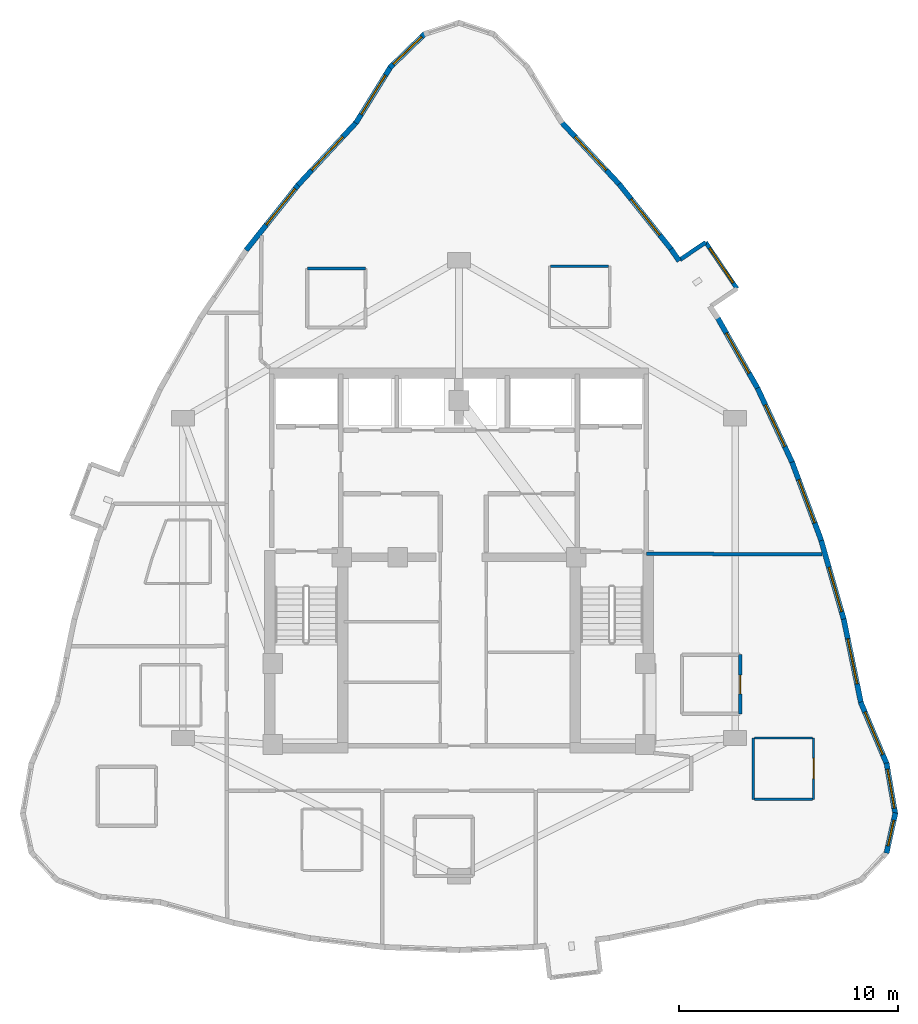
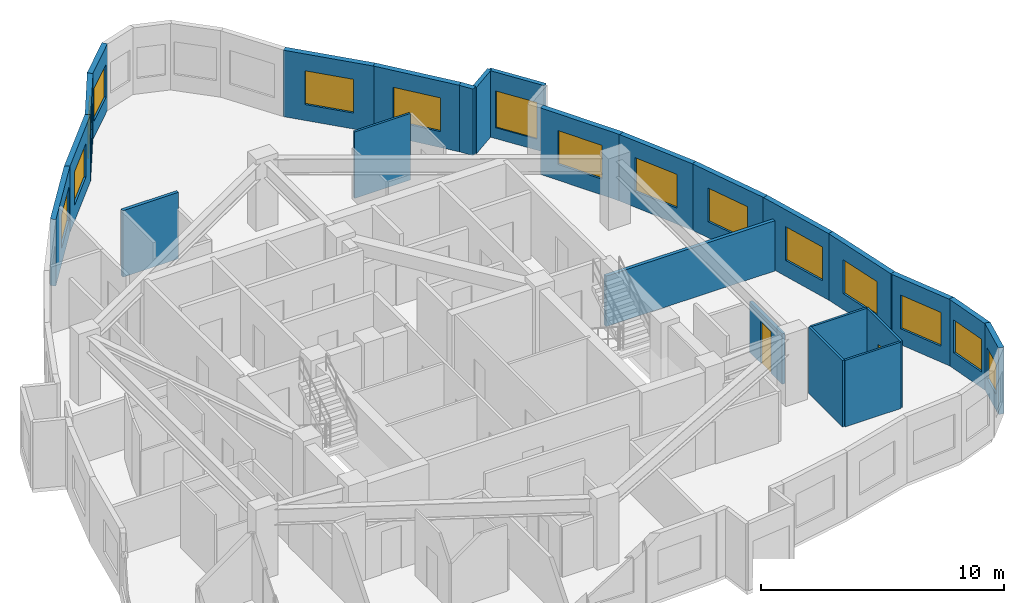
# One storey, part 7 of 9: 25 walls, 15 windows, 2 doors, 17 openings.
"""IFC4 building model written with IfcOpenShell, lengths in metres."""

from ifc_helpers import new_model, si_unit, direction, frame, frame_2d, origin, place, context, subcontext, project, spatial, rectangle, extrude, material, layer, layer_set, type_object, element, fill, save


model = new_model("IFC4")

# Units and contexts
model_context = context("Model", 3, precision=1e-05, world=origin(), true_north=direction((0.0, 1.0)))
body_context = subcontext(model_context, "Body", "Model", "MODEL_VIEW")
ifc_project = project(units=[si_unit("LENGTHUNIT", "METRE"), si_unit("AREAUNIT", "SQUARE_METRE"), si_unit("VOLUMEUNIT", "CUBIC_METRE"), si_unit("PLANEANGLEUNIT", "RADIAN"), si_unit("MASSUNIT", "GRAM", prefix="KILO")], contexts=[model_context])

# Site, building, storey
site_placement = place(None, origin())
site = spatial("IfcSite", under=ifc_project, at=site_placement, CompositionType="ELEMENT")
building_placement = place(site_placement, origin())
building = spatial("IfcBuilding", under=site, at=building_placement, Name="Miruveldt Soraemaru", CompositionType="ELEMENT")
storey_placement = place(building_placement, frame((0.0, 0.0, 241.199951171875)))
storey = spatial("IfcBuildingStorey", under=building, at=storey_placement, Name="L66", CompositionType="ELEMENT", Elevation=241.199951171875)

# Wall
ifc_material_1 = material(Name="White powder-coated aluminium EN AW-6060 T6", Category="aluminium")
ifc_layer_1 = layer(ifc_material_1, 0.18994140625, Name="White powder-coated aluminium EN AW-6060 T6", Category="aluminium")
ifc_layer_set_1 = layer_set([ifc_layer_1], Name="White powder-coated aluminium EN AW-6060 T6")
wall_type_1 = type_object("IfcWallType", Name="WALL-BAY-ALU190", PredefinedType="SOLIDWALL", material=ifc_layer_set_1)
wall_1_placement = place(storey_placement, frame((55.256103515625, 58.4208984375, 0.0), z_axis=(0.0, 0.0, 1.0), x_axis=(-0.827916124573, -0.56085193293, 0.0)))
element("IfcWall", 1, at=wall_1_placement, inside=storey, type_object=wall_type_1, Name="L66 Bay Window Side Cheek 3R", PredefinedType="SOLIDWALL", context=body_context, shape_type="SweptSolid", body=[
    extrude(rectangle(XDim=1.42529296875, YDim=0.18994140625, at=frame_2d((0.712646484375, 0.0))), origin(), (0.0, 0.0, 1.0), 3.344970703125),
])

# Wall, opening, window
wall_2_placement = place(storey_placement, frame((56.686767578125, 56.308837890625, 0.0), z_axis=(0.0, 0.0, 1.0), x_axis=(-0.560824867465, 0.827934458778, 0.0)))
wall_2 = element("IfcWall", 2, at=wall_2_placement, inside=storey, type_object=wall_type_1, Name="L66 Bay Window Front Frame 3", PredefinedType="SOLIDWALL", context=body_context, shape_type="SweptSolid", body=[
    extrude(rectangle(XDim=2.551025390625, YDim=0.18994140625, at=frame_2d((1.275390625, 0.0))), origin(), (0.0, 0.0, 1.0), 3.344970703125),
])
opening_1_placement = place(wall_2_placement, frame((0.325927734375, 0.0, 0.550048828125)))
opening_1 = element("IfcOpeningElement", 3, at=opening_1_placement, cuts=wall_2, Name="Opening WN-6", PredefinedType="OPENING", context=body_context, shape_type="SweptSolid", body=[
    extrude(rectangle(XDim=1.89990234375, YDim=1.85009765625, at=frame_2d((0.949951171875, 0.925048828125))), frame((0.0, 0.10498046875, 0.0), z_axis=(0.0, -1.0, 0.0), x_axis=(1.0, 0.0, 0.0)), (0.0, 0.0, 1.0), 0.2099609375),
])
ifc_material_2 = material(Name="Triple low-e insulated glazing", Category="glass")
window_type_1 = type_object("IfcWindowType", Name="WIN-BAYW-1900x1850", PartitioningType="SINGLE_PANEL", PredefinedType="WINDOW", material=ifc_material_2)
window_1_placement = place(opening_1_placement, origin())
window_1 = element("IfcWindow", 4, at=window_1_placement, inside=storey, type_object=window_type_1, Name="L66 Projecting Bay Window 3", OverallHeight=1.85009765625, OverallWidth=1.89990234375, PartitioningType="SINGLE_PANEL", PredefinedType="WINDOW", context=body_context, shape_type="SweptSolid", body=[
    extrude(rectangle(XDim=1.89990234375, YDim=1.85009765625, at=frame_2d((0.949951171875, 0.925048828125))), frame((0.0, 0.030029296875, 0.0), z_axis=(0.0, -1.0, 0.0), x_axis=(1.0, 0.0, 0.0)), (0.0, 0.0, 1.0), 0.06005859375),
])
fill(opening_1, window_1)

ifc_material_3 = material(Name="Precast concrete C45/55 (45 MPa)", Category="concrete")
ifc_layer_2 = layer(ifc_material_3, 0.239990234375, Name="Precast concrete C45/55 (45 MPa)", Category="concrete")
ifc_layer_set_2 = layer_set([ifc_layer_2], Name="Precast concrete C45/55 (45 MPa)")
wall_type_2 = type_object("IfcWallType", Name="WALL-EXT-PC240", PredefinedType="SOLIDWALL", material=ifc_layer_set_2)
wall_3_placement = place(storey_placement, frame((42.4609375, 67.959228515625, 0.0), z_axis=(0.0, 0.0, 1.0), x_axis=(-0.717772148555, -0.696278064252, 0.0)))
wall_3 = element("IfcWall", 5, at=wall_3_placement, inside=storey, type_object=wall_type_2, Name="L66 Precast Concrete Facade Wall 5", PredefinedType="SOLIDWALL", context=body_context, shape_type="SweptSolid", body=[
    extrude(rectangle(XDim=2.2490234375, YDim=0.239990234375, at=frame_2d((1.12451171875, 0.0))), origin(), (0.0, 0.0, 1.0), 3.344970703125),
])
opening_2_placement = place(wall_3_placement, frame((0.22509765625, 0.0, 0.800048828125)))
opening_2 = element("IfcOpeningElement", 6, at=opening_2_placement, cuts=wall_3, Name="Opening WN-2", PredefinedType="OPENING", context=body_context, shape_type="SweptSolid", body=[
    extrude(rectangle(XDim=1.800048828125, YDim=1.64990234375, at=frame_2d((0.89990234375, 0.824951171875))), frame((0.0, 0.1298828125, 0.0), z_axis=(0.0, -1.0, 0.0), x_axis=(1.0, 0.0, 0.0)), (0.0, 0.0, 1.0), 0.260009765625),
])
window_type_2 = type_object("IfcWindowType", Name="WIN-PUNCH-1800x1650", PartitioningType="SINGLE_PANEL", PredefinedType="WINDOW", material=ifc_material_2)
window_2_placement = place(opening_2_placement, origin())
window_2 = element("IfcWindow", 7, at=window_2_placement, inside=storey, type_object=window_type_2, Name="L66 Punched Triple-Glazed Window 05.1", OverallHeight=1.64990234375, OverallWidth=1.800048828125, PartitioningType="SINGLE_PANEL", PredefinedType="WINDOW", context=body_context, shape_type="SweptSolid", body=[
    extrude(rectangle(XDim=1.800048828125, YDim=1.64990234375, at=frame_2d((0.89990234375, 0.824951171875))), frame((0.0, 0.030029296875, 0.0), z_axis=(0.0, -1.0, 0.0), x_axis=(1.0, 0.0, 0.0)), (0.0, 0.0, 1.0), 0.06005859375),
])
fill(opening_2, window_2)

wall_4_placement = place(storey_placement, frame((40.89013671875, 66.447509765625, 0.0), z_axis=(0.0, 0.0, 1.0), x_axis=(-0.526092225985, -0.850427521755, 0.0)))
wall_4 = element("IfcWall", 8, at=wall_4_placement, inside=storey, type_object=wall_type_2, Name="L66 Precast Concrete Facade Wall 6", PredefinedType="SOLIDWALL", context=body_context, shape_type="SweptSolid", body=[
    extrude(rectangle(XDim=3.043212890625, YDim=0.239990234375, at=frame_2d((1.521484375, 0.0))), origin(), (0.0, 0.0, 1.0), 3.344970703125),
])
opening_3_placement = place(wall_4_placement, frame((0.471923828125, 0.0, 0.800048828125)))
opening_3 = element("IfcOpeningElement", 9, at=opening_3_placement, cuts=wall_4, Name="Opening WN-1", PredefinedType="OPENING", context=body_context, shape_type="SweptSolid", body=[
    extrude(rectangle(XDim=2.10009765625, YDim=1.699951171875, at=frame_2d((1.050048828125, 0.85009765625))), frame((0.0, 0.1298828125, 0.0), z_axis=(0.0, -1.0, 0.0), x_axis=(1.0, 0.0, 0.0)), (0.0, 0.0, 1.0), 0.260009765625),
])
window_type_3 = type_object("IfcWindowType", Name="WIN-PUNCH-2100x1700", PartitioningType="SINGLE_PANEL", PredefinedType="WINDOW", material=ifc_material_2)
window_3_placement = place(opening_3_placement, origin())
window_3 = element("IfcWindow", 10, at=window_3_placement, inside=storey, type_object=window_type_3, Name="L66 Punched Triple-Glazed Window 06.1", OverallHeight=1.699951171875, OverallWidth=2.10009765625, PartitioningType="SINGLE_PANEL", PredefinedType="WINDOW", context=body_context, shape_type="SweptSolid", body=[
    extrude(rectangle(XDim=2.10009765625, YDim=1.699951171875, at=frame_2d((1.050048828125, 0.85009765625))), frame((0.0, 0.030029296875, 0.0), z_axis=(0.0, -1.0, 0.0), x_axis=(1.0, 0.0, 0.0)), (0.0, 0.0, 1.0), 0.06005859375),
])
fill(opening_3, window_3)

wall_5_placement = place(storey_placement, frame((39.331298828125, 63.914794921875, 0.0), z_axis=(0.0, 0.0, 1.0), x_axis=(-0.680874316981, -0.73240027613, 0.0)))
wall_5 = element("IfcWall", 11, at=wall_5_placement, inside=storey, type_object=wall_type_2, Name="L66 Precast Concrete Facade Wall 7", PredefinedType="SOLIDWALL", context=body_context, shape_type="SweptSolid", body=[
    extrude(rectangle(XDim=3.9375, YDim=0.239990234375, at=frame_2d((1.96875, 0.0))), origin(), (0.0, 0.0, 1.0), 3.344970703125),
])
opening_4_placement = place(wall_5_placement, frame((0.9189453125, 0.0, 0.800048828125)))
opening_4 = element("IfcOpeningElement", 12, at=opening_4_placement, cuts=wall_5, Name="Opening WN-1", PredefinedType="OPENING", context=body_context, shape_type="SweptSolid", body=[
    extrude(rectangle(XDim=2.10009765625, YDim=1.699951171875, at=frame_2d((1.050048828125, 0.85009765625))), frame((0.0, 0.1298828125, 0.0), z_axis=(0.0, -1.0, 0.0), x_axis=(1.0, 0.0, 0.0)), (0.0, 0.0, 1.0), 0.260009765625),
])
window_4_placement = place(opening_4_placement, origin())
window_4 = element("IfcWindow", 13, at=window_4_placement, inside=storey, type_object=window_type_3, Name="L66 Punched Triple-Glazed Window 07.1", OverallHeight=1.699951171875, OverallWidth=2.10009765625, PartitioningType="SINGLE_PANEL", PredefinedType="WINDOW", context=body_context, shape_type="SweptSolid", body=[
    extrude(rectangle(XDim=2.10009765625, YDim=1.699951171875, at=frame_2d((1.050048828125, 0.85009765625))), frame((0.0, 0.030029296875, 0.0), z_axis=(0.0, -1.0, 0.0), x_axis=(1.0, 0.0, 0.0)), (0.0, 0.0, 1.0), 0.06005859375),
])
fill(opening_4, window_4)

wall_6_placement = place(storey_placement, frame((36.696044921875, 61.083984375, 0.0), z_axis=(0.0, 0.0, 1.0), x_axis=(-0.623616809325, -0.781730180515, 0.0)))
wall_6 = element("IfcWall", 14, at=wall_6_placement, inside=storey, type_object=wall_type_2, Name="L66 Precast Concrete Facade Wall 8", PredefinedType="SOLIDWALL", context=body_context, shape_type="SweptSolid", body=[
    extrude(rectangle(XDim=3.867919921875, YDim=0.239990234375, at=frame_2d((1.93408203125, 0.0))), origin(), (0.0, 0.0, 1.0), 3.344970703125),
])
opening_5_placement = place(wall_6_placement, frame((0.281982421875, 0.0, 0.800048828125)))
opening_5 = element("IfcOpeningElement", 15, at=opening_5_placement, cuts=wall_6, Name="Opening WN-1", PredefinedType="OPENING", context=body_context, shape_type="SweptSolid", body=[
    extrude(rectangle(XDim=2.10009765625, YDim=1.699951171875, at=frame_2d((1.050048828125, 0.85009765625))), frame((0.0, 0.1298828125, 0.0), z_axis=(0.0, -1.0, 0.0), x_axis=(1.0, 0.0, 0.0)), (0.0, 0.0, 1.0), 0.260009765625),
])
window_5_placement = place(opening_5_placement, origin())
window_5 = element("IfcWindow", 16, at=window_5_placement, inside=storey, type_object=window_type_3, Name="L66 Punched Triple-Glazed Window 08.1", OverallHeight=1.699951171875, OverallWidth=2.10009765625, PartitioningType="SINGLE_PANEL", PredefinedType="WINDOW", context=body_context, shape_type="SweptSolid", body=[
    extrude(rectangle(XDim=2.10009765625, YDim=1.699951171875, at=frame_2d((1.050048828125, 0.85009765625))), frame((0.0, 0.030029296875, 0.0), z_axis=(0.0, -1.0, 0.0), x_axis=(1.0, 0.0, 0.0)), (0.0, 0.0, 1.0), 0.06005859375),
])
fill(opening_5, window_5)

wall_7_placement = place(storey_placement, frame((63.509521484375, 30.54541015625, 0.0), z_axis=(0.0, 0.0, 1.0), x_axis=(0.215502390858, 0.976503312608, 0.0)))
wall_7 = element("IfcWall", 17, at=wall_7_placement, inside=storey, type_object=wall_type_2, Name="L66 Precast Concrete Facade Wall 32", PredefinedType="SOLIDWALL", context=body_context, shape_type="SweptSolid", body=[
    extrude(rectangle(XDim=1.8828125, YDim=0.239990234375, at=frame_2d((0.94140625, 0.0))), origin(), (0.0, 0.0, 1.0), 3.344970703125),
])
opening_6_placement = place(wall_7_placement, frame((0.342041015625, 0.0, 0.780029296875)))
opening_6 = element("IfcOpeningElement", 18, at=opening_6_placement, cuts=wall_7, Name="Opening WN-4", PredefinedType="OPENING", context=body_context, shape_type="SweptSolid", body=[
    extrude(rectangle(XDim=1.199951171875, YDim=1.550048828125, at=frame_2d((0.60009765625, 0.77490234375))), frame((0.0, 0.1298828125, 0.0), z_axis=(0.0, -1.0, 0.0), x_axis=(1.0, 0.0, 0.0)), (0.0, 0.0, 1.0), 0.260009765625),
])
window_type_4 = type_object("IfcWindowType", Name="WIN-PUNCH-1200x1550", PartitioningType="SINGLE_PANEL", PredefinedType="WINDOW", material=ifc_material_2)
window_6_placement = place(opening_6_placement, origin())
window_6 = element("IfcWindow", 19, at=window_6_placement, inside=storey, type_object=window_type_4, Name="L66 Punched Triple-Glazed Window 32.1", OverallHeight=1.550048828125, OverallWidth=1.199951171875, PartitioningType="SINGLE_PANEL", PredefinedType="WINDOW", context=body_context, shape_type="SweptSolid", body=[
    extrude(rectangle(XDim=1.199951171875, YDim=1.550048828125, at=frame_2d((0.60009765625, 0.77490234375))), frame((0.0, 0.030029296875, 0.0), z_axis=(0.0, -1.0, 0.0), x_axis=(1.0, 0.0, 0.0)), (0.0, 0.0, 1.0), 0.06005859375),
])
fill(opening_6, window_6)

wall_8_placement = place(storey_placement, frame((63.913818359375, 32.315185546875, 0.0), z_axis=(0.0, 0.0, 1.0), x_axis=(-0.16932268842, 0.985560666416, 0.0)))
wall_8 = element("IfcWall", 20, at=wall_8_placement, inside=storey, type_object=wall_type_2, Name="L66 Precast Concrete Facade Wall 33", PredefinedType="SOLIDWALL", context=body_context, shape_type="SweptSolid", body=[
    extrude(rectangle(XDim=2.379150390625, YDim=0.239990234375, at=frame_2d((1.189453125, 0.0))), origin(), (0.0, 0.0, 1.0), 3.344970703125),
])
opening_7_placement = place(wall_8_placement, frame((0.2890625, 0.0, 0.800048828125)))
opening_7 = element("IfcOpeningElement", 21, at=opening_7_placement, cuts=wall_8, Name="Opening WN-2", PredefinedType="OPENING", context=body_context, shape_type="SweptSolid", body=[
    extrude(rectangle(XDim=1.800048828125, YDim=1.64990234375, at=frame_2d((0.89990234375, 0.824951171875))), frame((0.0, 0.1298828125, 0.0), z_axis=(0.0, -1.0, 0.0), x_axis=(1.0, 0.0, 0.0)), (0.0, 0.0, 1.0), 0.260009765625),
])
window_7_placement = place(opening_7_placement, origin())
window_7 = element("IfcWindow", 22, at=window_7_placement, inside=storey, type_object=window_type_2, Name="L66 Punched Triple-Glazed Window 33.1", OverallHeight=1.64990234375, OverallWidth=1.800048828125, PartitioningType="SINGLE_PANEL", PredefinedType="WINDOW", context=body_context, shape_type="SweptSolid", body=[
    extrude(rectangle(XDim=1.800048828125, YDim=1.64990234375, at=frame_2d((0.89990234375, 0.824951171875))), frame((0.0, 0.030029296875, 0.0), z_axis=(0.0, -1.0, 0.0), x_axis=(1.0, 0.0, 0.0)), (0.0, 0.0, 1.0), 0.06005859375),
])
fill(opening_7, window_7)

wall_9_placement = place(storey_placement, frame((63.530517578125, 34.59326171875, 0.0), z_axis=(0.0, 0.0, 1.0), x_axis=(-0.388647035021, 0.921386716949, 0.0)))
wall_9 = element("IfcWall", 23, at=wall_9_placement, inside=storey, type_object=wall_type_2, Name="L66 Precast Concrete Facade Wall 34", PredefinedType="SOLIDWALL", context=body_context, shape_type="SweptSolid", body=[
    extrude(rectangle(XDim=3.0888671875, YDim=0.239990234375, at=frame_2d((1.54443359375, 0.0))), origin(), (0.0, 0.0, 1.0), 3.344970703125),
])
opening_8_placement = place(wall_9_placement, frame((0.493896484375, 0.0, 0.800048828125)))
opening_8 = element("IfcOpeningElement", 24, at=opening_8_placement, cuts=wall_9, Name="Opening WN-1", PredefinedType="OPENING", context=body_context, shape_type="SweptSolid", body=[
    extrude(rectangle(XDim=2.10009765625, YDim=1.699951171875, at=frame_2d((1.050048828125, 0.85009765625))), frame((0.0, 0.1298828125, 0.0), z_axis=(0.0, -1.0, 0.0), x_axis=(1.0, 0.0, 0.0)), (0.0, 0.0, 1.0), 0.260009765625),
])
window_8_placement = place(opening_8_placement, origin())
window_8 = element("IfcWindow", 25, at=window_8_placement, inside=storey, type_object=window_type_3, Name="L66 Punched Triple-Glazed Window 34.1", OverallHeight=1.699951171875, OverallWidth=2.10009765625, PartitioningType="SINGLE_PANEL", PredefinedType="WINDOW", context=body_context, shape_type="SweptSolid", body=[
    extrude(rectangle(XDim=2.10009765625, YDim=1.699951171875, at=frame_2d((1.050048828125, 0.85009765625))), frame((0.0, 0.030029296875, 0.0), z_axis=(0.0, -1.0, 0.0), x_axis=(1.0, 0.0, 0.0)), (0.0, 0.0, 1.0), 0.06005859375),
])
fill(opening_8, window_8)

wall_10_placement = place(storey_placement, frame((62.350830078125, 37.37255859375, 0.0), z_axis=(0.0, 0.0, 1.0), x_axis=(-0.201574193265, 0.979473248542, 0.0)))
wall_10 = element("IfcWall", 26, at=wall_10_placement, inside=storey, type_object=wall_type_2, Name="L66 Precast Concrete Facade Wall 35", PredefinedType="SOLIDWALL", context=body_context, shape_type="SweptSolid", body=[
    extrude(rectangle(XDim=3.9375, YDim=0.239990234375, at=frame_2d((1.96875, 0.0))), origin(), (0.0, 0.0, 1.0), 3.344970703125),
])
opening_9_placement = place(wall_10_placement, frame((0.9189453125, 0.0, 0.800048828125)))
opening_9 = element("IfcOpeningElement", 27, at=opening_9_placement, cuts=wall_10, Name="Opening WN-1", PredefinedType="OPENING", context=body_context, shape_type="SweptSolid", body=[
    extrude(rectangle(XDim=2.10009765625, YDim=1.699951171875, at=frame_2d((1.050048828125, 0.85009765625))), frame((0.0, 0.1298828125, 0.0), z_axis=(0.0, -1.0, 0.0), x_axis=(1.0, 0.0, 0.0)), (0.0, 0.0, 1.0), 0.260009765625),
])
window_9_placement = place(opening_9_placement, origin())
window_9 = element("IfcWindow", 28, at=window_9_placement, inside=storey, type_object=window_type_3, Name="L66 Punched Triple-Glazed Window 35.1", OverallHeight=1.699951171875, OverallWidth=2.10009765625, PartitioningType="SINGLE_PANEL", PredefinedType="WINDOW", context=body_context, shape_type="SweptSolid", body=[
    extrude(rectangle(XDim=2.10009765625, YDim=1.699951171875, at=frame_2d((1.050048828125, 0.85009765625))), frame((0.0, 0.030029296875, 0.0), z_axis=(0.0, -1.0, 0.0), x_axis=(1.0, 0.0, 0.0)), (0.0, 0.0, 1.0), 0.06005859375),
])
fill(opening_9, window_9)

wall_11_placement = place(storey_placement, frame((61.57373046875, 41.161376953125, 0.0), z_axis=(0.0, 0.0, 1.0), x_axis=(-0.27493786248, 0.961461997052, 0.0)))
wall_11 = element("IfcWall", 29, at=wall_11_placement, inside=storey, type_object=wall_type_2, Name="L66 Precast Concrete Facade Wall 36", PredefinedType="SOLIDWALL", context=body_context, shape_type="SweptSolid", body=[
    extrude(rectangle(XDim=3.8681640625, YDim=0.239990234375, at=frame_2d((1.93408203125, 0.0))), origin(), (0.0, 0.0, 1.0), 3.344970703125),
])
opening_10_placement = place(wall_11_placement, frame((0.4208984375, 0.0, 0.800048828125)))
opening_10 = element("IfcOpeningElement", 30, at=opening_10_placement, cuts=wall_11, Name="Opening WN-1", PredefinedType="OPENING", context=body_context, shape_type="SweptSolid", body=[
    extrude(rectangle(XDim=2.10009765625, YDim=1.699951171875, at=frame_2d((1.050048828125, 0.85009765625))), frame((0.0, 0.1298828125, 0.0), z_axis=(0.0, -1.0, 0.0), x_axis=(1.0, 0.0, 0.0)), (0.0, 0.0, 1.0), 0.260009765625),
])
window_10_placement = place(opening_10_placement, origin())
window_10 = element("IfcWindow", 31, at=window_10_placement, inside=storey, type_object=window_type_3, Name="L66 Punched Triple-Glazed Window 36.1", OverallHeight=1.699951171875, OverallWidth=2.10009765625, PartitioningType="SINGLE_PANEL", PredefinedType="WINDOW", context=body_context, shape_type="SweptSolid", body=[
    extrude(rectangle(XDim=2.10009765625, YDim=1.699951171875, at=frame_2d((1.050048828125, 0.85009765625))), frame((0.0, 0.030029296875, 0.0), z_axis=(0.0, -1.0, 0.0), x_axis=(1.0, 0.0, 0.0)), (0.0, 0.0, 1.0), 0.06005859375),
])
fill(opening_10, window_10)

wall_12_placement = place(storey_placement, frame((60.531982421875, 44.813720703125, 0.0), z_axis=(0.0, 0.0, 1.0), x_axis=(-0.349007803454, 0.937119817915, 0.0)))
wall_12 = element("IfcWall", 32, at=wall_12_placement, inside=storey, type_object=wall_type_2, Name="L66 Precast Concrete Facade Wall 37", PredefinedType="SOLIDWALL", context=body_context, shape_type="SweptSolid", body=[
    extrude(rectangle(XDim=3.82080078125, YDim=0.239990234375, at=frame_2d((1.910400390625, 0.0))), origin(), (0.0, 0.0, 1.0), 3.344970703125),
])
opening_11_placement = place(wall_12_placement, frame((0.861083984375, 0.0, 0.800048828125)))
opening_11 = element("IfcOpeningElement", 33, at=opening_11_placement, cuts=wall_12, Name="Opening WN-1", PredefinedType="OPENING", context=body_context, shape_type="SweptSolid", body=[
    extrude(rectangle(XDim=2.10009765625, YDim=1.699951171875, at=frame_2d((1.050048828125, 0.85009765625))), frame((0.0, 0.1298828125, 0.0), z_axis=(0.0, -1.0, 0.0), x_axis=(1.0, 0.0, 0.0)), (0.0, 0.0, 1.0), 0.260009765625),
])
window_11_placement = place(opening_11_placement, origin())
window_11 = element("IfcWindow", 34, at=window_11_placement, inside=storey, type_object=window_type_3, Name="L66 Punched Triple-Glazed Window 37.1", OverallHeight=1.699951171875, OverallWidth=2.10009765625, PartitioningType="SINGLE_PANEL", PredefinedType="WINDOW", context=body_context, shape_type="SweptSolid", body=[
    extrude(rectangle(XDim=2.10009765625, YDim=1.699951171875, at=frame_2d((1.050048828125, 0.85009765625))), frame((0.0, 0.030029296875, 0.0), z_axis=(0.0, -1.0, 0.0), x_axis=(1.0, 0.0, 0.0)), (0.0, 0.0, 1.0), 0.06005859375),
])
fill(opening_11, window_11)

wall_13_placement = place(storey_placement, frame((59.2255859375, 48.329833984375, 0.0), z_axis=(0.0, 0.0, 1.0), x_axis=(-0.422353902845, 0.906431012682, 0.0)))
wall_13 = element("IfcWall", 35, at=wall_13_placement, inside=storey, type_object=wall_type_2, Name="L66 Precast Concrete Facade Wall 38", PredefinedType="SOLIDWALL", context=body_context, shape_type="SweptSolid", body=[
    extrude(rectangle(XDim=3.797119140625, YDim=0.239990234375, at=frame_2d((1.8984375, 0.0))), origin(), (0.0, 0.0, 1.0), 3.344970703125),
])
opening_12_placement = place(wall_13_placement, frame((0.84912109375, 0.0, 0.800048828125)))
opening_12 = element("IfcOpeningElement", 36, at=opening_12_placement, cuts=wall_13, Name="Opening WN-1", PredefinedType="OPENING", context=body_context, shape_type="SweptSolid", body=[
    extrude(rectangle(XDim=2.10009765625, YDim=1.699951171875, at=frame_2d((1.050048828125, 0.85009765625))), frame((0.0, 0.1298828125, 0.0), z_axis=(0.0, -1.0, 0.0), x_axis=(1.0, 0.0, 0.0)), (0.0, 0.0, 1.0), 0.260009765625),
])
window_12_placement = place(opening_12_placement, origin())
window_12 = element("IfcWindow", 37, at=window_12_placement, inside=storey, type_object=window_type_3, Name="L66 Punched Triple-Glazed Window 38.1", OverallHeight=1.699951171875, OverallWidth=2.10009765625, PartitioningType="SINGLE_PANEL", PredefinedType="WINDOW", context=body_context, shape_type="SweptSolid", body=[
    extrude(rectangle(XDim=2.10009765625, YDim=1.699951171875, at=frame_2d((1.050048828125, 0.85009765625))), frame((0.0, 0.030029296875, 0.0), z_axis=(0.0, -1.0, 0.0), x_axis=(1.0, 0.0, 0.0)), (0.0, 0.0, 1.0), 0.06005859375),
])
fill(opening_12, window_12)

wall_14_placement = place(storey_placement, frame((57.654052734375, 51.709716796875, 0.0), z_axis=(0.0, 0.0, 1.0), x_axis=(-0.493408355717, 0.869797789437, 0.0)))
wall_14 = element("IfcWall", 38, at=wall_14_placement, inside=storey, type_object=wall_type_2, Name="L66 Precast Concrete Facade Wall 39", PredefinedType="SOLIDWALL", context=body_context, shape_type="SweptSolid", body=[
    extrude(rectangle(XDim=3.797119140625, YDim=0.239990234375, at=frame_2d((1.8984375, 0.0))), origin(), (0.0, 0.0, 1.0), 3.344970703125),
])
opening_13_placement = place(wall_14_placement, frame((0.84912109375, 0.0, 0.800048828125)))
opening_13 = element("IfcOpeningElement", 39, at=opening_13_placement, cuts=wall_14, Name="Opening WN-1", PredefinedType="OPENING", context=body_context, shape_type="SweptSolid", body=[
    extrude(rectangle(XDim=2.10009765625, YDim=1.699951171875, at=frame_2d((1.050048828125, 0.85009765625))), frame((0.0, 0.1298828125, 0.0), z_axis=(0.0, -1.0, 0.0), x_axis=(1.0, 0.0, 0.0)), (0.0, 0.0, 1.0), 0.260009765625),
])
window_13_placement = place(opening_13_placement, origin())
window_13 = element("IfcWindow", 40, at=window_13_placement, inside=storey, type_object=window_type_3, Name="L66 Punched Triple-Glazed Window 39.1", OverallHeight=1.699951171875, OverallWidth=2.10009765625, PartitioningType="SINGLE_PANEL", PredefinedType="WINDOW", context=body_context, shape_type="SweptSolid", body=[
    extrude(rectangle(XDim=2.10009765625, YDim=1.699951171875, at=frame_2d((1.050048828125, 0.85009765625))), frame((0.0, 0.030029296875, 0.0), z_axis=(0.0, -1.0, 0.0), x_axis=(1.0, 0.0, 0.0)), (0.0, 0.0, 1.0), 0.06005859375),
])
fill(opening_13, window_13)

# Wall
wall_15_placement = place(storey_placement, frame((54.047607421875, 57.566162109375, 0.0), z_axis=(0.0, 0.0, 1.0), x_axis=(-0.560953666904, 0.827847198212, 0.0)))
element("IfcWall", 41, at=wall_15_placement, inside=storey, type_object=wall_type_2, Name="L66 Precast Pier Wall 40B", PredefinedType="SOLIDWALL", context=body_context, shape_type="SweptSolid", body=[
    extrude(rectangle(XDim=0.6650390625, YDim=0.239990234375, at=frame_2d((0.33251953125, 0.0))), origin(), (0.0, 0.0, 1.0), 3.344970703125),
])

# Wall, opening, window
wall_16_placement = place(storey_placement, frame((53.716064453125, 58.060302734375, 0.0), z_axis=(0.0, 0.0, 1.0), x_axis=(-0.623616809325, 0.781730180515, 0.0)))
wall_16 = element("IfcWall", 42, at=wall_16_placement, inside=storey, type_object=wall_type_2, Name="L66 Precast Concrete Facade Wall 41", PredefinedType="SOLIDWALL", context=body_context, shape_type="SweptSolid", body=[
    extrude(rectangle(XDim=3.867919921875, YDim=0.239990234375, at=frame_2d((1.93408203125, 0.0))), origin(), (0.0, 0.0, 1.0), 3.344970703125),
])
opening_14_placement = place(wall_16_placement, frame((0.884033203125, 0.0, 0.800048828125)))
opening_14 = element("IfcOpeningElement", 43, at=opening_14_placement, cuts=wall_16, Name="Opening WN-1", PredefinedType="OPENING", context=body_context, shape_type="SweptSolid", body=[
    extrude(rectangle(XDim=2.10009765625, YDim=1.699951171875, at=frame_2d((1.050048828125, 0.85009765625))), frame((0.0, 0.1298828125, 0.0), z_axis=(0.0, -1.0, 0.0), x_axis=(1.0, 0.0, 0.0)), (0.0, 0.0, 1.0), 0.260009765625),
])
window_14_placement = place(opening_14_placement, origin())
window_14 = element("IfcWindow", 44, at=window_14_placement, inside=storey, type_object=window_type_3, Name="L66 Punched Triple-Glazed Window 41.1", OverallHeight=1.699951171875, OverallWidth=2.10009765625, PartitioningType="SINGLE_PANEL", PredefinedType="WINDOW", context=body_context, shape_type="SweptSolid", body=[
    extrude(rectangle(XDim=2.10009765625, YDim=1.699951171875, at=frame_2d((1.050048828125, 0.85009765625))), frame((0.0, 0.030029296875, 0.0), z_axis=(0.0, -1.0, 0.0), x_axis=(1.0, 0.0, 0.0)), (0.0, 0.0, 1.0), 0.06005859375),
])
fill(opening_14, window_14)

wall_17_placement = place(storey_placement, frame((51.349609375, 61.031005859375, 0.0), z_axis=(0.0, 0.0, 1.0), x_axis=(-0.680874316981, 0.73240027613, 0.0)))
wall_17 = element("IfcWall", 45, at=wall_17_placement, inside=storey, type_object=wall_type_2, Name="L66 Precast Concrete Facade Wall 42", PredefinedType="SOLIDWALL", context=body_context, shape_type="SweptSolid", body=[
    extrude(rectangle(XDim=3.9375, YDim=0.239990234375, at=frame_2d((1.96875, 0.0))), origin(), (0.0, 0.0, 1.0), 3.344970703125),
])
opening_15_placement = place(wall_17_placement, frame((0.9189453125, 0.0, 0.800048828125)))
opening_15 = element("IfcOpeningElement", 46, at=opening_15_placement, cuts=wall_17, Name="Opening WN-1", PredefinedType="OPENING", context=body_context, shape_type="SweptSolid", body=[
    extrude(rectangle(XDim=2.10009765625, YDim=1.699951171875, at=frame_2d((1.050048828125, 0.85009765625))), frame((0.0, 0.1298828125, 0.0), z_axis=(0.0, -1.0, 0.0), x_axis=(1.0, 0.0, 0.0)), (0.0, 0.0, 1.0), 0.260009765625),
])
window_15_placement = place(opening_15_placement, origin())
window_15 = element("IfcWindow", 47, at=window_15_placement, inside=storey, type_object=window_type_3, Name="L66 Punched Triple-Glazed Window 42.1", OverallHeight=1.699951171875, OverallWidth=2.10009765625, PartitioningType="SINGLE_PANEL", PredefinedType="WINDOW", context=body_context, shape_type="SweptSolid", body=[
    extrude(rectangle(XDim=2.10009765625, YDim=1.699951171875, at=frame_2d((1.050048828125, 0.85009765625))), frame((0.0, 0.030029296875, 0.0), z_axis=(0.0, -1.0, 0.0), x_axis=(1.0, 0.0, 0.0)), (0.0, 0.0, 1.0), 0.06005859375),
])
fill(opening_15, window_15)

# Wall, opening, door
ifc_material_4 = material(Name="Gypsum plasterboard lining", Category="gypsum")
ifc_layer_3 = layer(ifc_material_4, 0.10009765625, Name="Gypsum plasterboard lining", Category="gypsum")
ifc_layer_set_3 = layer_set([ifc_layer_3], Name="Gypsum plasterboard lining")
wall_type_3 = type_object("IfcWallType", Name="WALL-INT-P100", PredefinedType="PARTITIONING", material=ifc_layer_set_3)
wall_18_placement = place(storey_placement, frame((60.179931640625, 33.006103515625, 0.0), z_axis=(0.0, 0.0, 1.0), x_axis=(0.0, 1.0, 0.0)))
wall_18 = element("IfcWall", 48, at=wall_18_placement, inside=storey, type_object=wall_type_3, Name="L66 Partition Wall 53", PredefinedType="PARTITIONING", context=body_context, shape_type="SweptSolid", body=[
    extrude(rectangle(XDim=2.7998046875, YDim=0.10009765625, at=frame_2d((1.39990234375, 0.0))), origin(), (0.0, 0.0, 1.0), 3.344970703125),
])
opening_16_placement = place(wall_18_placement, frame((0.93994140625, 0.0, 0.0)))
opening_16 = element("IfcOpeningElement", 49, at=opening_16_placement, cuts=wall_18, Name="Opening D3A", PredefinedType="OPENING", context=body_context, shape_type="SweptSolid", body=[
    extrude(rectangle(XDim=0.919921875, YDim=2.10009765625, at=frame_2d((0.4599609375, 1.050048828125))), frame((0.0, 0.06005859375, 0.0), z_axis=(0.0, -1.0, 0.0), x_axis=(1.0, 0.0, 0.0)), (0.0, 0.0, 1.0), 0.1201171875),
])
ifc_material_5 = material(Name="Anodised aluminium EN AW-6063 T6", Category="aluminium")
door_type_1 = type_object("IfcDoorType", Name="DOOR-INT-920", OperationType="NOTDEFINED", PredefinedType="DOOR", material=ifc_material_5)
door_1_placement = place(opening_16_placement, origin())
door_1 = element("IfcDoor", 50, at=door_1_placement, inside=storey, type_object=door_type_1, Name="L66 Unit CL07 KIT Door", OperationType="SINGLE_SWING_LEFT", OverallHeight=2.10009765625, OverallWidth=0.919921875, PredefinedType="DOOR", context=body_context, shape_type="SweptSolid", body=[
    extrude(rectangle(XDim=0.919921875, YDim=2.10009765625, at=frame_2d((0.4599609375, 1.050048828125))), frame((0.0, 0.02490234375, 0.0), z_axis=(0.0, -1.0, 0.0), x_axis=(1.0, 0.0, 0.0)), (0.0, 0.0, 1.0), 0.050048828125),
])
fill(opening_16, door_1)

# Walls
wall_19_placement = place(storey_placement, frame((57.429931640625, 35.805908203125, 0.0), z_axis=(0.0, 0.0, 1.0), x_axis=(0.0, -1.0, 0.0)))
element("IfcWall", 51, at=wall_19_placement, inside=storey, type_object=wall_type_3, Name="L66 Partition Wall 55", PredefinedType="PARTITIONING", context=body_context, shape_type="SweptSolid", body=[
    extrude(rectangle(XDim=2.7998046875, YDim=0.10009765625, at=frame_2d((1.39990234375, 0.0))), origin(), (0.0, 0.0, 1.0), 3.344970703125),
])
for number, where, z_axis, x_axis, name in (
    (52, (60.1298828125, 35.805908203125, 0.0), (0.0, 0.0, 1.0), (-1.0, 0.0, 0.0), "L66 Partition Wall 54"),
    (53, (57.47998046875, 33.006103515625, 0.0), (0.0, 0.0, 1.0), (1.0, 0.0, 0.0), "L66 Partition Wall 56"),
):
    element("IfcWall", number, at=place(storey_placement, frame(where, z_axis=z_axis, x_axis=x_axis)), inside=storey, type_object=wall_type_3, Name=name, PredefinedType="PARTITIONING", context=body_context, shape_type="SweptSolid", body=[
        extrude(rectangle(XDim=2.64990234375, YDim=0.10009765625, at=frame_2d((1.324951171875, 0.0))), origin(), (0.0, 0.0, 1.0), 3.344970703125),
    ])
wall_20_placement = place(storey_placement, frame((50.830078125, 57.330078125, 0.0), z_axis=(0.0, 0.0, 1.0), x_axis=(-1.0, 0.0, 0.0)))
element("IfcWall", 54, at=wall_20_placement, inside=storey, type_object=wall_type_3, Name="L66 Partition Wall 18", PredefinedType="PARTITIONING", context=body_context, shape_type="SweptSolid", body=[
    extrude(rectangle(XDim=2.650146484375, YDim=0.10009765625, at=frame_2d((1.3251953125, 0.0))), origin(), (0.0, 0.0, 1.0), 3.344970703125),
])

# Wall, opening, door
ifc_layer_4 = layer(ifc_material_4, 0.14990234375, Name="Gypsum plasterboard lining", Category="gypsum")
ifc_layer_set_4 = layer_set([ifc_layer_4], Name="Gypsum plasterboard lining")
wall_type_4 = type_object("IfcWallType", Name="WALL-INT-PLUMB", PredefinedType="PLUMBINGWALL", material=ifc_layer_set_4)
wall_21_placement = place(storey_placement, frame((56.830078125, 36.906005859375, 0.0), z_axis=(0.0, 0.0, 1.0), x_axis=(0.0, 1.0, 0.0)))
wall_21 = element("IfcWall", 55, at=wall_21_placement, inside=storey, type_object=wall_type_4, Name="L66 Partition Wall 49", PredefinedType="PLUMBINGWALL", context=body_context, shape_type="SweptSolid", body=[
    extrude(rectangle(XDim=2.699951171875, YDim=0.14990234375, at=frame_2d((1.35009765625, 0.0))), origin(), (0.0, 0.0, 1.0), 2.532958984375),
])
opening_17_placement = place(wall_21_placement, frame((0.909912109375, 0.0, 0.0)))
opening_17 = element("IfcOpeningElement", 56, at=opening_17_placement, cuts=wall_21, Name="Opening FD3", PredefinedType="OPENING", context=body_context, shape_type="SweptSolid", body=[
    extrude(rectangle(XDim=0.85009765625, YDim=2.10009765625, at=frame_2d((0.425048828125, 1.050048828125))), frame((0.0, 0.0849609375, 0.0), z_axis=(0.0, -1.0, 0.0), x_axis=(1.0, 0.0, 0.0)), (0.0, 0.0, 1.0), 0.169921875),
])
door_type_2 = type_object("IfcDoorType", Name="DOOR-FD3-850", OperationType="NOTDEFINED", PredefinedType="DOOR", material=ifc_material_5)
door_2_placement = place(opening_17_placement, origin())
door_2 = element("IfcDoor", 57, at=door_2_placement, inside=storey, type_object=door_type_2, Name="L66 Unit CL07 BTH Door", OperationType="SINGLE_SWING_RIGHT", OverallHeight=2.10009765625, OverallWidth=0.85009765625, PredefinedType="DOOR", context=body_context, shape_type="SweptSolid", body=[
    extrude(rectangle(XDim=0.85009765625, YDim=2.10009765625, at=frame_2d((0.425048828125, 1.050048828125))), frame((0.0, 0.02490234375, 0.0), z_axis=(0.0, -1.0, 0.0), x_axis=(1.0, 0.0, 0.0)), (0.0, 0.0, 1.0), 0.050048828125),
])
fill(opening_17, door_2)

# Walls
wall_22_placement = place(storey_placement, frame((39.72998046875, 57.22998046875, 0.0), z_axis=(0.0, 0.0, 1.0), x_axis=(-1.0, 0.0, 0.0)))
element("IfcWall", 58, at=wall_22_placement, inside=storey, type_object=wall_type_4, Name="L66 Partition Wall 14", PredefinedType="PLUMBINGWALL", context=body_context, shape_type="SweptSolid", body=[
    extrude(rectangle(XDim=2.64990234375, YDim=0.14990234375, at=frame_2d((1.324951171875, 0.0))), origin(), (0.0, 0.0, 1.0), 3.344970703125),
])
ifc_material_6 = material(Name="Concrete C40/50 (40 MPa)", Category="concrete")
ifc_layer_5 = layer(ifc_material_6, 0.159912109375, Name="Concrete C40/50 (40 MPa)", Category="concrete")
ifc_layer_set_5 = layer_set([ifc_layer_5], Name="Concrete C40/50 (40 MPa)")
wall_type_5 = type_object("IfcWallType", Name="WALL-INT-RC160", PredefinedType="SOLIDWALL", material=ifc_layer_set_5)
wall_23_placement = place(storey_placement, frame((52.550048828125, 44.205322265625, 0.0), z_axis=(0.0, 0.0, 1.0), x_axis=(0.999996807293, -0.002526935852, 0.0)))
element("IfcWall", 59, at=wall_23_placement, inside=storey, type_object=wall_type_5, Name="L66 Partition Wall 22", PredefinedType="SOLIDWALL", context=body_context, shape_type="SweptSolid", body=[
    extrude(rectangle(XDim=8.01904296875, YDim=0.159912109375, at=frame_2d((4.009521484375, 0.0))), origin(), (0.0, 0.0, 1.0), 2.532958984375),
])

save(model, "model.ifc")
